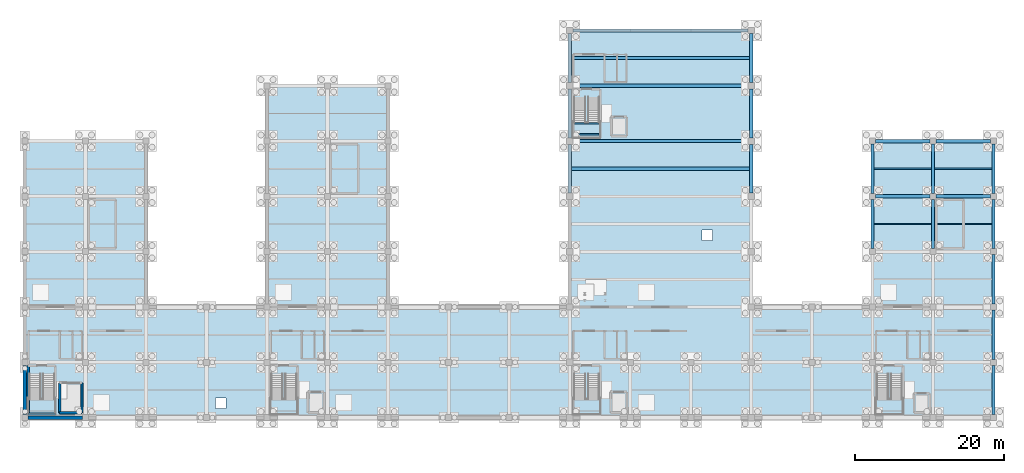
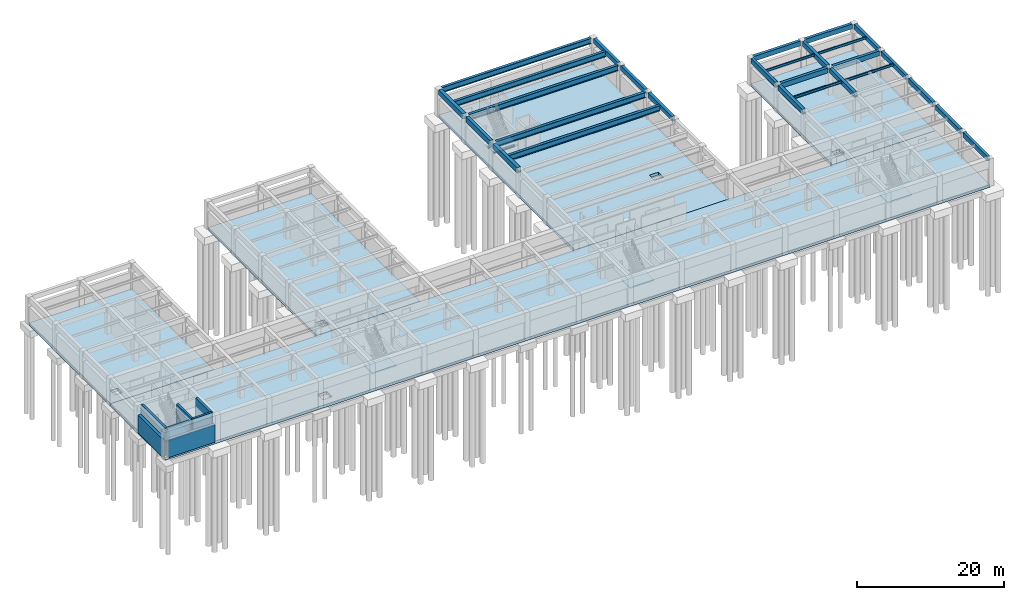
# One storey, part 6 of 14: 30 beams, 10 slabs, 7 walls, 5 elements without a shape of their own.
"""IFC4 building model written with IfcOpenShell, lengths in metres."""

from ifc_helpers import new_model, si_unit, direction, frame, frame_2d, origin, origin_2d, place, context, subcontext, project, spatial, polyline, rectangle, i_section, outline, extrude, material, layer, layer_set, material_profile, profile_set, type_object, element, aggregate, save


model = new_model("IFC4")

# Units and contexts
model_context = context("Model", 3, precision=1e-05, world=origin(), true_north=direction((0.0, 1.0)))
body_context = subcontext(model_context, "Body", "Model", "MODEL_VIEW")
ifc_project = project(units=[si_unit("LENGTHUNIT", "METRE"), si_unit("AREAUNIT", "SQUARE_METRE"), si_unit("VOLUMEUNIT", "CUBIC_METRE"), si_unit("PLANEANGLEUNIT", "RADIAN"), si_unit("MASSUNIT", "GRAM", prefix="KILO")], contexts=[model_context])

# Site, building, storey
site_placement = place(None, origin())
site = spatial("IfcSite", under=ifc_project, at=site_placement, CompositionType="ELEMENT")
building_placement = place(site_placement, origin())
building = spatial("IfcBuilding", under=site, at=building_placement, Name="Cimatlan Art Gallery", CompositionType="ELEMENT")
storey_placement = place(building_placement, frame((0.0, 0.0, -4.800048828125)))
storey = spatial("IfcBuildingStorey", under=building, at=storey_placement, Name="B1", CompositionType="ELEMENT", Elevation=-4.800048828125)

# Beams
ifc_material_1 = material(Name="Concrete C40/50", Category="concrete")
ifc_material_profile_1 = material_profile(ifc_material_1, rectangle(XDim=0.449951171875, YDim=0.800048828125, at=origin_2d()), Name="RC450X800")
ifc_profile_set_1 = profile_set([ifc_material_profile_1], Name="Concrete C40/50")
beam_type_1 = type_object("IfcBeamType", Name="BM-RC-450X800", PredefinedType="BEAM", material=ifc_profile_set_1)
for number, where, z_axis, x_axis, name in (
    (1, (99.199951171875, 53.925048828125, 4.1201171875), (0.0, 1.0, 0.0), (-1.0, 0.0, 0.0), "BM-Y-B1-12-07"),
    (2, (99.199951171875, 61.324951171875, 4.1201171875), (0.0, 1.0, 0.0), (-1.0, 0.0, 0.0), "BM-Y-B1-12-08"),
):
    element("IfcBeam", number, at=place(storey_placement, frame(where, z_axis=z_axis, x_axis=x_axis)), inside=storey, type_object=beam_type_1, Name=name, PredefinedType="BEAM", context=body_context, shape_type="SweptSolid", body=[
        extrude(rectangle(XDim=0.449951171875, YDim=0.800048828125, at=origin_2d()), origin(), (0.0, 0.0, 1.0), 6.550048828125),
    ])
beam_1_placement = place(storey_placement, frame((99.199951171875, 68.72509765625, 4.1201171875), z_axis=(0.0, 1.0, 0.0), x_axis=(-1.0, 0.0, 0.0)))
element("IfcBeam", 3, at=beam_1_placement, inside=storey, type_object=beam_type_1, Name="BM-Y-B1-12-09", PredefinedType="BEAM", context=body_context, shape_type="SweptSolid", body=[
    extrude(rectangle(XDim=0.449951171875, YDim=0.800048828125, at=origin_2d()), origin(), (0.0, 0.0, 1.0), 6.5498046875),
])
for number, where, z_axis, x_axis, name in (
    (4, (115.39990234375, 46.5, 4.1201171875), (0.0, 1.0, 0.0), (-1.0, 0.0, 0.0), "BM-Y-B1-14-06"),
    (5, (115.39990234375, 53.89990234375, 4.1201171875), (0.0, 1.0, 0.0), (-1.0, 0.0, 0.0), "BM-Y-B1-14-07"),
    (6, (123.5, 46.5, 4.1201171875), (0.0, 1.0, 0.0), (-1.0, 0.0, 0.0), "BM-Y-B1-15-06"),
    (7, (123.5, 53.89990234375, 4.1201171875), (0.0, 1.0, 0.0), (-1.0, 0.0, 0.0), "BM-Y-B1-15-07"),
):
    element("IfcBeam", number, at=place(storey_placement, frame(where, z_axis=z_axis, x_axis=x_axis)), inside=storey, type_object=beam_type_1, Name=name, PredefinedType="BEAM", context=body_context, shape_type="SweptSolid", body=[
        extrude(rectangle(XDim=0.449951171875, YDim=0.800048828125, at=origin_2d()), origin(), (0.0, 0.0, 1.0), 6.60009765625),
    ])
beam_2_placement = place(storey_placement, frame((131.60009765625, 24.300048828125, 4.1201171875), z_axis=(0.0, 1.0, 0.0), x_axis=(-1.0, 0.0, 0.0)))
element("IfcBeam", 8, at=beam_2_placement, inside=storey, type_object=beam_type_1, Name="BM-Y-B1-16-03", PredefinedType="BEAM", context=body_context, shape_type="SweptSolid", body=[
    extrude(rectangle(XDim=0.449951171875, YDim=0.800048828125, at=origin_2d()), origin(), (0.0, 0.0, 1.0), 6.599853515625),
])
beam_3_placement = place(storey_placement, frame((131.60009765625, 31.699951171875, 4.1201171875), z_axis=(0.0, 1.0, 0.0), x_axis=(-1.0, 0.0, 0.0)))
element("IfcBeam", 9, at=beam_3_placement, inside=storey, type_object=beam_type_1, Name="BM-Y-B1-16-04", PredefinedType="BEAM", context=body_context, shape_type="SweptSolid", body=[
    extrude(rectangle(XDim=0.449951171875, YDim=0.800048828125, at=origin_2d()), origin(), (0.0, 0.0, 1.0), 6.60009765625),
])
beam_4_placement = place(storey_placement, frame((131.60009765625, 39.10009765625, 4.1201171875), z_axis=(0.0, 1.0, 0.0), x_axis=(-1.0, 0.0, 0.0)))
element("IfcBeam", 10, at=beam_4_placement, inside=storey, type_object=beam_type_1, Name="BM-Y-B1-16-05", PredefinedType="BEAM", context=body_context, shape_type="SweptSolid", body=[
    extrude(rectangle(XDim=0.449951171875, YDim=0.800048828125, at=origin_2d()), origin(), (0.0, 0.0, 1.0), 6.599853515625),
])
for number, where, z_axis, x_axis, name in (
    (11, (131.60009765625, 46.5, 4.1201171875), (0.0, 1.0, 0.0), (-1.0, 0.0, 0.0), "BM-Y-B1-16-06"),
    (12, (131.60009765625, 53.89990234375, 4.1201171875), (0.0, 1.0, 0.0), (-1.0, 0.0, 0.0), "BM-Y-B1-16-07"),
):
    element("IfcBeam", number, at=place(storey_placement, frame(where, z_axis=z_axis, x_axis=x_axis)), inside=storey, type_object=beam_type_1, Name=name, PredefinedType="BEAM", context=body_context, shape_type="SweptSolid", body=[
        extrude(rectangle(XDim=0.449951171875, YDim=0.800048828125, at=origin_2d()), origin(), (0.0, 0.0, 1.0), 6.60009765625),
    ])
for number, where, z_axis, x_axis, name in (
    (13, (115.800048828125, 53.5, 4.1201171875), (1.0, 0.0, 0.0), (0.0, 1.0, 0.0), "BM-X-B1-14-07"),
    (14, (115.800048828125, 60.89990234375, 4.1201171875), (1.0, 0.0, 0.0), (0.0, 1.0, 0.0), "BM-X-B1-14-08"),
    (15, (123.89990234375, 53.5, 4.1201171875), (1.0, 0.0, 0.0), (0.0, 1.0, 0.0), "BM-X-B1-15-07"),
    (16, (123.89990234375, 60.89990234375, 4.1201171875), (1.0, 0.0, 0.0), (0.0, 1.0, 0.0), "BM-X-B1-15-08"),
):
    element("IfcBeam", number, at=place(storey_placement, frame(where, z_axis=z_axis, x_axis=x_axis)), inside=storey, type_object=beam_type_1, Name=name, PredefinedType="BEAM", context=body_context, shape_type="SweptSolid", body=[
        extrude(rectangle(XDim=0.449951171875, YDim=0.800048828125, at=origin_2d()), origin(), (0.0, 0.0, 1.0), 7.300048828125),
    ])
ifc_material_profile_2 = material_profile(ifc_material_1, rectangle(XDim=0.5, YDim=0.85009765625, at=origin_2d()), Name="RC500X850")
ifc_profile_set_2 = profile_set([ifc_material_profile_2], Name="Concrete C40/50")
beam_type_2 = type_object("IfcBeamType", Name="BM-RC-500X850", PredefinedType="BEAM", material=ifc_profile_set_2)
for number, where, z_axis, x_axis, name in (
    (17, (74.89990234375, 53.925048828125, 4.094970703125), (0.0, 1.0, 0.0), (-1.0, 0.0, 0.0), "BM-Y-B1-09-07"),
    (18, (74.89990234375, 61.324951171875, 4.094970703125), (0.0, 1.0, 0.0), (-1.0, 0.0, 0.0), "BM-Y-B1-09-08"),
):
    element("IfcBeam", number, at=place(storey_placement, frame(where, z_axis=z_axis, x_axis=x_axis)), inside=storey, type_object=beam_type_2, Name=name, PredefinedType="BEAM", context=body_context, shape_type="SweptSolid", body=[
        extrude(rectangle(XDim=0.5, YDim=0.85009765625, at=origin_2d()), origin(), (0.0, 0.0, 1.0), 6.550048828125),
    ])
beam_5_placement = place(storey_placement, frame((74.89990234375, 68.72509765625, 4.094970703125), z_axis=(0.0, 1.0, 0.0), x_axis=(-1.0, 0.0, 0.0)))
element("IfcBeam", 19, at=beam_5_placement, inside=storey, type_object=beam_type_2, Name="BM-Y-B1-09-09", PredefinedType="BEAM", context=body_context, shape_type="SweptSolid", body=[
    extrude(rectangle(XDim=0.5, YDim=0.85009765625, at=origin_2d()), origin(), (0.0, 0.0, 1.0), 6.5498046875),
])
ifc_material_2 = material(Name="Steel ASTM A992 Grade 50", Category="steel")
ifc_material_profile_3 = material_profile(ifc_material_2, i_section(OverallWidth=0.41796875, OverallDepth=0.927001953125, WebThickness=0.019287109375, FlangeThickness=0.031982421875, at=origin_2d()), Name="W36X231")
ifc_profile_set_3 = profile_set([ifc_material_profile_3], Name="Steel ASTM A992 Grade 50")
beam_type_3 = type_object("IfcBeamType", Name="BM-SPAN24-L01", PredefinedType="BEAM", material=ifc_profile_set_3)
beam_6_placement = place(storey_placement, frame((75.14990234375, 57.199951171875, 4.056640625), z_axis=(1.0, 0.0, 0.0), x_axis=(0.0, 1.0, 0.0)))
element("IfcBeam", 20, at=beam_6_placement, inside=storey, type_object=beam_type_3, Name="BM-SP24M-B1-07", PredefinedType="BEAM", context=body_context, shape_type="SweptSolid", body=[
    extrude(i_section(OverallWidth=0.41796875, OverallDepth=0.927001953125, WebThickness=0.019287109375, FlangeThickness=0.031982421875, at=origin_2d()), origin(), (0.0, 0.0, 1.0), 23.8251953125),
])
for number, where, z_axis, x_axis, name in (
    (21, (75.324951171875, 60.89990234375, 4.056640625), (1.0, 0.0, 0.0), (0.0, 1.0, 0.0), "BM-SP24-B1-08"),
    (22, (75.324951171875, 68.300048828125, 4.056640625), (1.0, 0.0, 0.0), (0.0, 1.0, 0.0), "BM-SP24-B1-09"),
):
    element("IfcBeam", number, at=place(storey_placement, frame(where, z_axis=z_axis, x_axis=x_axis)), inside=storey, type_object=beam_type_3, Name=name, PredefinedType="BEAM", context=body_context, shape_type="SweptSolid", body=[
        extrude(i_section(OverallWidth=0.41796875, OverallDepth=0.927001953125, WebThickness=0.019287109375, FlangeThickness=0.031982421875, at=origin_2d()), origin(), (0.0, 0.0, 1.0), 23.449951171875),
    ])
beam_7_placement = place(storey_placement, frame((75.14990234375, 72.0, 4.056640625), z_axis=(1.0, 0.0, 0.0), x_axis=(0.0, 1.0, 0.0)))
element("IfcBeam", 23, at=beam_7_placement, inside=storey, type_object=beam_type_3, Name="BM-SP24M-B1-09", PredefinedType="BEAM", context=body_context, shape_type="SweptSolid", body=[
    extrude(i_section(OverallWidth=0.41796875, OverallDepth=0.927001953125, WebThickness=0.019287109375, FlangeThickness=0.031982421875, at=origin_2d()), origin(), (0.0, 0.0, 1.0), 23.8251953125),
])
beam_8_placement = place(storey_placement, frame((75.324951171875, 75.699951171875, 4.056640625), z_axis=(1.0, 0.0, 0.0), x_axis=(0.0, 1.0, 0.0)))
element("IfcBeam", 24, at=beam_8_placement, inside=storey, type_object=beam_type_3, Name="BM-SP24-B1-10", PredefinedType="BEAM", context=body_context, shape_type="SweptSolid", body=[
    extrude(i_section(OverallWidth=0.41796875, OverallDepth=0.927001953125, WebThickness=0.019287109375, FlangeThickness=0.031982421875, at=origin_2d()), origin(), (0.0, 0.0, 1.0), 23.449951171875),
])
ifc_material_profile_4 = material_profile(ifc_material_2, i_section(OverallWidth=0.1650390625, OverallDepth=0.31005859375, WebThickness=0.005859375, FlangeThickness=0.009765625, at=origin_2d()), Name="W12X26")
ifc_profile_set_4 = profile_set([ifc_material_profile_4], Name="Steel ASTM A992 Grade 50")
beam_type_4 = type_object("IfcBeamType", Name="BM-STL-W12X26", PredefinedType="JOIST", material=ifc_profile_set_4)
for number, where, z_axis, x_axis, name in (
    (25, (75.514892578125, 61.800048828125, 2.025146484375), (1.0, 0.0, 0.0), (0.0, 1.0, 0.0), "BM-STR-C6-B1-LH1"),
    (26, (75.514892578125, 63.300048828125, 2.025146484375), (1.0, 0.0, 0.0), (0.0, 1.0, 0.0), "BM-STR-C6-B1-LH2"),
):
    element("IfcBeam", number, at=place(storey_placement, frame(where, z_axis=z_axis, x_axis=x_axis)), inside=storey, type_object=beam_type_4, Name=name, PredefinedType="JOIST", context=body_context, shape_type="SweptSolid", body=[
        extrude(i_section(OverallWidth=0.1650390625, OverallDepth=0.31005859375, WebThickness=0.005859375, FlangeThickness=0.009765625, at=origin_2d()), origin(), (0.0, 0.0, 1.0), 3.2900390625),
    ])
ifc_material_profile_5 = material_profile(ifc_material_2, i_section(OverallWidth=0.177978515625, OverallDepth=0.406982421875, WebThickness=0.0078125, FlangeThickness=0.0126953125, at=origin_2d()), Name="W16X40")
ifc_profile_set_5 = profile_set([ifc_material_profile_5], Name="Steel ASTM A992 Grade 50")
beam_type_5 = type_object("IfcBeamType", Name="BM-STL-W16X40", PredefinedType="JOIST", material=ifc_profile_set_5)
for number, where, z_axis, x_axis, name in (
    (27, (115.625, 49.800048828125, 4.316650390625), (1.0, 0.0, 0.0), (0.0, 1.0, 0.0), "JST-B1-14-06"),
    (28, (115.625, 57.199951171875, 4.316650390625), (1.0, 0.0, 0.0), (0.0, 1.0, 0.0), "JST-B1-14-07"),
    (29, (123.72509765625, 49.800048828125, 4.316650390625), (1.0, 0.0, 0.0), (0.0, 1.0, 0.0), "JST-B1-15-06"),
    (30, (123.72509765625, 57.199951171875, 4.316650390625), (1.0, 0.0, 0.0), (0.0, 1.0, 0.0), "JST-B1-15-07"),
):
    element("IfcBeam", number, at=place(storey_placement, frame(where, z_axis=z_axis, x_axis=x_axis)), inside=storey, type_object=beam_type_5, Name=name, PredefinedType="JOIST", context=body_context, shape_type="SweptSolid", body=[
        extrude(i_section(OverallWidth=0.177978515625, OverallDepth=0.406982421875, WebThickness=0.0078125, FlangeThickness=0.0126953125, at=origin_2d()), origin(), (0.0, 0.0, 1.0), 7.64990234375),
    ])

# Slabs
ifc_layer_1 = layer(ifc_material_1, 0.449951171875)
ifc_layer_set_1 = layer_set([ifc_layer_1], Name="Concrete C40/50")
slab_type_1 = type_object("IfcSlabType", Name="SLB-BASE-450", PredefinedType="BASESLAB", material=ifc_layer_set_1)
slab_1_placement = place(storey_placement, frame((0.0, 0.0, -0.449951171875)))
element("IfcSlab", 31, at=slab_1_placement, inside=storey, type_object=slab_type_1, Name="SLB-B1-SPN", PredefinedType="BASESLAB", context=body_context, shape_type="SweptSolid", body=[
    extrude(outline(polyline([(2.0, 23.89990234375), (131.60009765625, 23.89990234375), (131.60009765625, 38.699951171875), (2.0, 38.699951171875), (2.0, 23.89990234375)]), holes=[polyline([(27.5, 25.10009765625), (28.89990234375, 25.10009765625), (28.89990234375, 26.5), (27.5, 26.5), (27.5, 25.10009765625)])]), origin(), (0.0, 0.0, 1.0), 0.449951171875),
])
slab_2_placement = place(storey_placement, frame((0.0, 0.0, -0.449951171875)))
element("IfcSlab", 32, at=slab_2_placement, inside=storey, type_object=slab_type_1, Name="SLB-B1-W1", PredefinedType="BASESLAB", context=body_context, shape_type="SweptSolid", body=[
    extrude(outline(polyline([(2.0, 38.699951171875), (18.199951171875, 38.699951171875), (18.199951171875, 60.89990234375), (2.0, 60.89990234375), (2.0, 38.699951171875)]), holes=[polyline([(3.5, 40.199951171875), (4.699951171875, 40.199951171875), (4.699951171875, 41.39990234375), (3.5, 41.39990234375), (3.5, 40.199951171875)])]), origin(), (0.0, 0.0, 1.0), 0.449951171875),
])
slab_3_placement = place(storey_placement, frame((0.0, 0.0, -0.449951171875)))
element("IfcSlab", 33, at=slab_3_placement, inside=storey, type_object=slab_type_1, Name="SLB-B1-W2", PredefinedType="BASESLAB", context=body_context, shape_type="SweptSolid", body=[
    extrude(outline(polyline([(34.39990234375, 38.699951171875), (50.60009765625, 38.699951171875), (50.60009765625, 68.300048828125), (34.39990234375, 68.300048828125), (34.39990234375, 38.699951171875)]), holes=[polyline([(35.89990234375, 40.199951171875), (37.10009765625, 40.199951171875), (37.10009765625, 41.39990234375), (35.89990234375, 41.39990234375), (35.89990234375, 40.199951171875)])]), origin(), (0.0, 0.0, 1.0), 0.449951171875),
])
slab_4_placement = place(storey_placement, frame((0.0, 0.0, -0.449951171875)))
element("IfcSlab", 34, at=slab_4_placement, inside=storey, type_object=slab_type_1, Name="SLB-B1-C3", PredefinedType="BASESLAB", context=body_context, shape_type="SweptSolid", body=[
    extrude(outline(polyline([(74.89990234375, 38.699951171875), (99.199951171875, 38.699951171875), (99.199951171875, 75.699951171875), (74.89990234375, 75.699951171875), (74.89990234375, 38.699951171875)]), holes=[polyline([(92.60009765625, 47.60009765625), (94.0, 47.60009765625), (94.0, 49.0), (92.60009765625, 49.0), (92.60009765625, 47.60009765625)])]), origin(), (0.0, 0.0, 1.0), 0.449951171875),
])
slab_5_placement = place(storey_placement, frame((0.0, 0.0, -0.449951171875)))
element("IfcSlab", 35, at=slab_5_placement, inside=storey, type_object=slab_type_1, Name="SLB-B1-E4", PredefinedType="BASESLAB", context=body_context, shape_type="SweptSolid", body=[
    extrude(outline(polyline([(115.39990234375, 38.699951171875), (131.60009765625, 38.699951171875), (131.60009765625, 60.89990234375), (115.39990234375, 60.89990234375), (115.39990234375, 38.699951171875)]), holes=[polyline([(116.89990234375, 40.199951171875), (118.10009765625, 40.199951171875), (118.10009765625, 41.39990234375), (116.89990234375, 41.39990234375), (116.89990234375, 40.199951171875)])]), origin(), (0.0, 0.0, 1.0), 0.449951171875),
])

# Stair, slab
ifc_material_3 = material(Name="Concrete C35/45", Category="concrete")
stair_type = type_object("IfcStairType", Name="STR-HALF-155-480", PredefinedType="HALF_TURN_STAIR", material=ifc_material_3)
stair_1_placement = place(storey_placement, origin())
stair_1 = element("IfcStair", 36, at=stair_1_placement, inside=storey, type_object=stair_type, Name="STR-C1-B1", PredefinedType="HALF_TURN_STAIR")
ifc_layer_2 = layer(ifc_material_3, 0.219970703125)
ifc_layer_set_2 = layer_set([ifc_layer_2], Name="Concrete C35/45")
slab_type_2 = type_object("IfcSlabType", Name="SLB-STAIR-LAND-220", PredefinedType="LANDING", material=ifc_layer_set_2)
slab_6_placement = place(storey_placement, frame((0.0, 0.0, 2.179931640625)))
slab_6 = element("IfcSlab", 37, at=slab_6_placement, type_object=slab_type_2, Name="STR-C1-B1-LND", PredefinedType="LANDING", context=body_context, shape_type="SweptSolid", body=[
    extrude(outline(polyline([(2.35009765625, 24.25), (6.139892578125, 24.25), (6.139892578125, 26.550048828125), (2.35009765625, 26.550048828125), (2.35009765625, 24.25)])), origin(), (0.0, 0.0, 1.0), 0.22021484375),
])
aggregate(stair_1, [slab_6])

stair_2_placement = place(storey_placement, origin())
stair_2 = element("IfcStair", 38, at=stair_2_placement, inside=storey, type_object=stair_type, Name="STR-C2-B1", PredefinedType="HALF_TURN_STAIR")
slab_7_placement = place(storey_placement, frame((0.0, 0.0, 2.179931640625)))
slab_7 = element("IfcSlab", 39, at=slab_7_placement, type_object=slab_type_2, Name="STR-C2-B1-LND", PredefinedType="LANDING", context=body_context, shape_type="SweptSolid", body=[
    extrude(outline(polyline([(34.75, 24.25), (38.5400390625, 24.25), (38.5400390625, 26.550048828125), (34.75, 26.550048828125), (34.75, 24.25)])), origin(), (0.0, 0.0, 1.0), 0.22021484375),
])
aggregate(stair_2, [slab_7])

stair_3_placement = place(storey_placement, origin())
stair_3 = element("IfcStair", 40, at=stair_3_placement, inside=storey, type_object=stair_type, Name="STR-C3-B1", PredefinedType="HALF_TURN_STAIR")
slab_8_placement = place(storey_placement, frame((0.0, 0.0, 2.179931640625)))
slab_8 = element("IfcSlab", 41, at=slab_8_placement, type_object=slab_type_2, Name="STR-C3-B1-LND", PredefinedType="LANDING", context=body_context, shape_type="SweptSolid", body=[
    extrude(outline(polyline([(75.25, 24.25), (79.0400390625, 24.25), (79.0400390625, 26.550048828125), (75.25, 26.550048828125), (75.25, 24.25)])), origin(), (0.0, 0.0, 1.0), 0.22021484375),
])
aggregate(stair_3, [slab_8])

stair_4_placement = place(storey_placement, origin())
stair_4 = element("IfcStair", 42, at=stair_4_placement, inside=storey, type_object=stair_type, Name="STR-C4-B1", PredefinedType="HALF_TURN_STAIR")
slab_9_placement = place(storey_placement, frame((0.0, 0.0, 2.179931640625)))
slab_9 = element("IfcSlab", 43, at=slab_9_placement, type_object=slab_type_2, Name="STR-C4-B1-LND", PredefinedType="LANDING", context=body_context, shape_type="SweptSolid", body=[
    extrude(outline(polyline([(115.75, 24.25), (119.5400390625, 24.25), (119.5400390625, 26.550048828125), (115.75, 26.550048828125), (115.75, 24.25)])), origin(), (0.0, 0.0, 1.0), 0.22021484375),
])
aggregate(stair_4, [slab_9])

stair_5_placement = place(storey_placement, origin())
stair_5 = element("IfcStair", 44, at=stair_5_placement, inside=storey, type_object=stair_type, Name="STR-C6-B1", PredefinedType="HALF_TURN_STAIR")
slab_10_placement = place(storey_placement, frame((0.0, 0.0, 2.179931640625)))
slab_10 = element("IfcSlab", 45, at=slab_10_placement, type_object=slab_type_2, Name="STR-C6-B1-LND", PredefinedType="LANDING", context=body_context, shape_type="SweptSolid", body=[
    extrude(outline(polyline([(75.25, 61.25), (79.0400390625, 61.25), (79.0400390625, 63.550048828125), (75.25, 63.550048828125), (75.25, 61.25)])), origin(), (0.0, 0.0, 1.0), 0.22021484375),
])
aggregate(stair_5, [slab_10])

# Walls
ifc_layer_3 = layer(ifc_material_1, 0.31005859375)
ifc_layer_set_3 = layer_set([ifc_layer_3], Name="Concrete C40/50")
wall_type_1 = type_object("IfcWallType", Name="W-CORE-310", PredefinedType="SHEAR", material=ifc_layer_set_3)
wall_1_placement = place(storey_placement, frame((6.64990234375, 24.550048828125, 0.0), z_axis=(0.0, 0.0, 1.0), x_axis=(0.0, 1.0, 0.0)))
element("IfcWall", 46, at=wall_1_placement, inside=storey, type_object=wall_type_1, Name="WL-SHFT-C1-B1-LW", PredefinedType="SHEAR", context=body_context, shape_type="SweptSolid", body=[
    extrude(rectangle(XDim=4.0, YDim=0.31005859375, at=frame_2d((2.0, 0.0))), origin(), (0.0, 0.0, 1.0), 4.51513671875),
])
wall_2_placement = place(storey_placement, frame((6.64990234375, 24.550048828125, 0.0), z_axis=(0.0, 0.0, 1.0), x_axis=(1.0, 0.0, 0.0)))
element("IfcWall", 47, at=wall_2_placement, inside=storey, type_object=wall_type_1, Name="WL-SHFT-C1-B1-LS", PredefinedType="SHEAR", context=body_context, shape_type="SweptSolid", body=[
    extrude(rectangle(XDim=3.0, YDim=0.31005859375, at=frame_2d((1.5, 0.0))), origin(), (0.0, 0.0, 1.0), 4.51513671875),
])
wall_3_placement = place(storey_placement, frame((9.64990234375, 24.550048828125, 0.0), z_axis=(0.0, 0.0, 1.0), x_axis=(0.0, 1.0, 0.0)))
element("IfcWall", 48, at=wall_3_placement, inside=storey, type_object=wall_type_1, Name="WL-SHFT-C1-B1-LE", PredefinedType="SHEAR", context=body_context, shape_type="SweptSolid", body=[
    extrude(rectangle(XDim=4.0, YDim=0.31005859375, at=frame_2d((2.0, 0.0))), origin(), (0.0, 0.0, 1.0), 4.51513671875),
])
ifc_layer_4 = layer(ifc_material_1, 0.35009765625)
ifc_layer_set_4 = layer_set([ifc_layer_4], Name="Concrete C40/50")
wall_type_2 = type_object("IfcWallType", Name="W-CORE-350", PredefinedType="SHEAR", material=ifc_layer_set_4)
wall_4_placement = place(storey_placement, frame((2.43994140625, 24.340087890625, 0.0), z_axis=(0.0, 0.0, 1.0), x_axis=(0.0, 1.0, 0.0)))
element("IfcWall", 49, at=wall_4_placement, inside=storey, type_object=wall_type_2, Name="WL-CORE-C1-B1-SW", PredefinedType="SHEAR", context=body_context, shape_type="SweptSolid", body=[
    extrude(rectangle(XDim=6.52001953125, YDim=0.35009765625, at=frame_2d((3.260009765625, 0.0))), origin(), (0.0, 0.0, 1.0), 4.51513671875),
])
wall_5_placement = place(storey_placement, frame((2.43994140625, 24.340087890625, 0.0), z_axis=(0.0, 0.0, 1.0), x_axis=(1.0, 0.0, 0.0)))
element("IfcWall", 50, at=wall_5_placement, inside=storey, type_object=wall_type_2, Name="WL-CORE-C1-B1-SS", PredefinedType="SHEAR", context=body_context, shape_type="SweptSolid", body=[
    extrude(rectangle(XDim=3.64013671875, YDim=0.35009765625, at=frame_2d((1.820068359375, 0.0))), origin(), (0.0, 0.0, 1.0), 4.51513671875),
])
ifc_layer_5 = layer(ifc_material_1, 0.449951171875)
ifc_layer_set_5 = layer_set([ifc_layer_5], Name="Concrete C40/50")
wall_type_3 = type_object("IfcWallType", Name="WL-RET-450", PredefinedType="USERDEFINED", material=ifc_layer_set_5)
wall_6_placement = place(storey_placement, frame((9.696044921875, 23.89990234375, 0.0), z_axis=(0.0, 0.0, 1.0), x_axis=(-1.0, 0.0, 0.0)))
element("IfcWall", 51, at=wall_6_placement, inside=storey, type_object=wall_type_3, Name="WL-B1-RET-005", ObjectType="RETAININGWALL", PredefinedType="USERDEFINED", context=body_context, shape_type="SweptSolid", body=[
    extrude(rectangle(XDim=7.2919921875, YDim=0.449951171875, at=frame_2d((3.64599609375, 0.0))), origin(), (0.0, 0.0, 1.0), 2.949951171875),
])
wall_7_placement = place(storey_placement, frame((2.0, 24.303955078125, 0.0), z_axis=(0.0, 0.0, 1.0), x_axis=(0.0, 1.0, 0.0)))
element("IfcWall", 52, at=wall_7_placement, inside=storey, type_object=wall_type_3, Name="WL-B1-RET-006", ObjectType="RETAININGWALL", PredefinedType="USERDEFINED", context=body_context, shape_type="SweptSolid", body=[
    extrude(rectangle(XDim=6.592041015625, YDim=0.449951171875, at=frame_2d((3.2958984375, 0.0))), origin(), (0.0, 0.0, 1.0), 2.949951171875),
])

save(model, "model.ifc")
